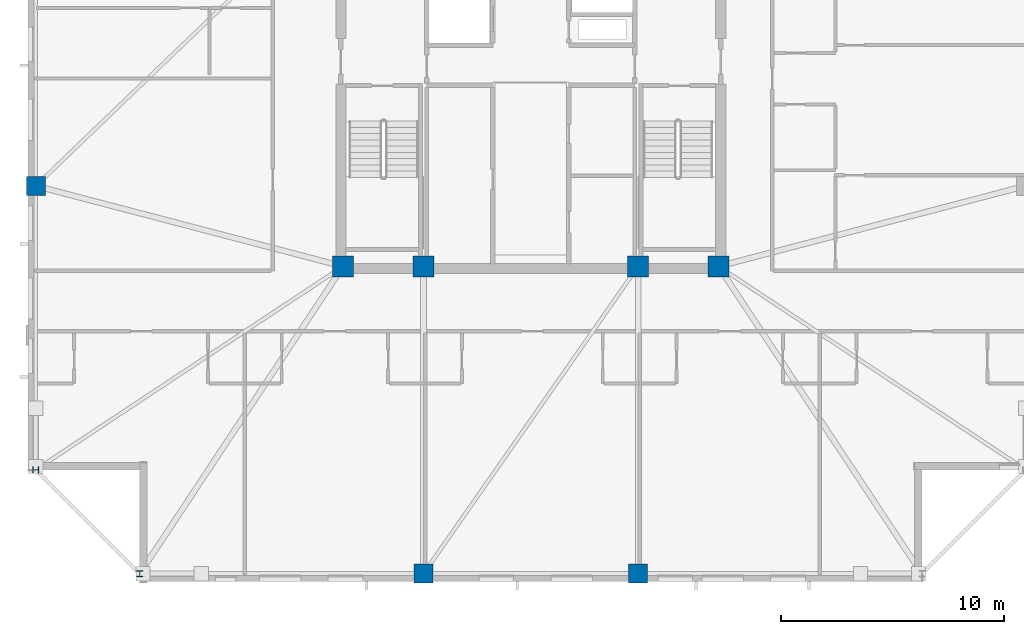
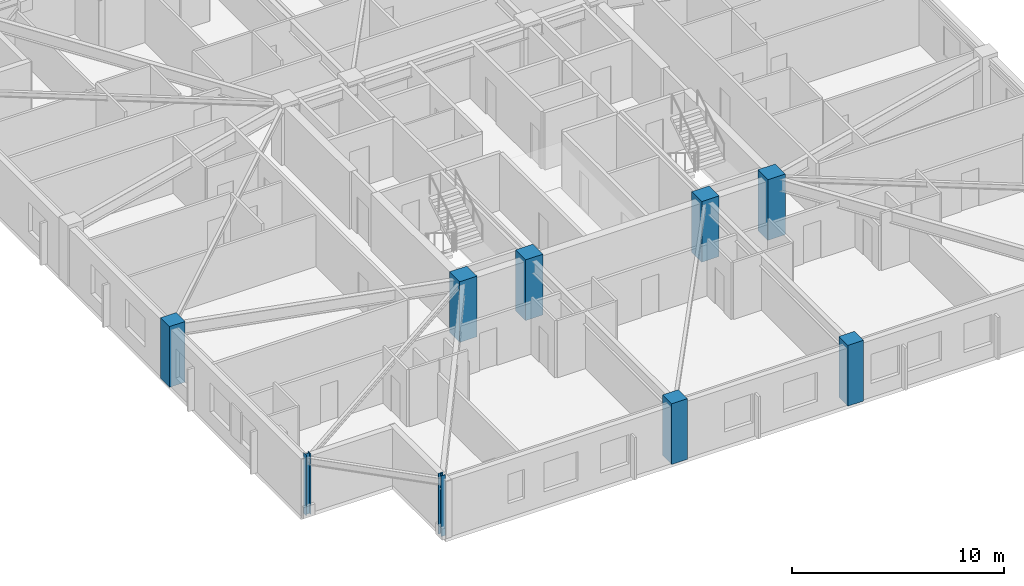
# One storey, part 1 of 17: 9 columns.
"""IFC4 building model written with IfcOpenShell, lengths in metres."""

from ifc_helpers import new_model, si_unit, direction, frame, origin, origin_2d, place, context, subcontext, project, spatial, rectangle, i_section, extrude, material, material_profile, profile_set, type_object, element, save


model = new_model("IFC4")

# Units and contexts
model_context = context("Model", 3, precision=1e-05, world=origin(), true_north=direction((0.0, 1.0)))
body_context = subcontext(model_context, "Body", "Model", "MODEL_VIEW")
ifc_project = project(units=[si_unit("LENGTHUNIT", "METRE"), si_unit("AREAUNIT", "SQUARE_METRE"), si_unit("VOLUMEUNIT", "CUBIC_METRE"), si_unit("PLANEANGLEUNIT", "RADIAN"), si_unit("MASSUNIT", "GRAM", prefix="KILO")], contexts=[model_context])

# Site, building, storey
site_placement = place(None, origin())
site = spatial("IfcSite", under=ifc_project, at=site_placement, CompositionType="ELEMENT")
building_placement = place(site_placement, origin())
building = spatial("IfcBuilding", under=site, at=building_placement, Name="Cairnveth Concourse Tower", CompositionType="ELEMENT")
storey_placement = place(building_placement, frame((0.0, 0.0, 220.0)))
storey = spatial("IfcBuildingStorey", under=building, at=storey_placement, Name="L60", CompositionType="ELEMENT", Elevation=220.0)

# Columns
ifc_material_1 = material(Name="Concrete N65 (65 MPa)", Category="concrete")
ifc_material_profile_1 = material_profile(ifc_material_1, rectangle(XDim=0.949951171875, YDim=0.949951171875, at=origin_2d()), Name="RC-COL-950x950")
ifc_profile_set_1 = profile_set([ifc_material_profile_1], Name="Concrete N65 (65 MPa)")
column_type_1 = type_object("IfcColumnType", Name="CORE COLUMN 950X950", PredefinedType="COLUMN", material=ifc_profile_set_1)
for number, where, z_axis, x_axis, name in (
    (1, (43.60009765625, 30.60009765625, 0.0), (0.0, 0.0, 1.0), (1.0, 0.0, 0.0), "Column CC1 L60"),
    (2, (47.199951171875, 30.60009765625, 0.0), (0.0, 0.0, 1.0), (1.0, 0.0, 0.0), "Column CC2 L60"),
    (3, (56.800048828125, 30.60009765625, 0.0), (0.0, 0.0, 1.0), (1.0, 0.0, 0.0), "Column CC3 L60"),
    (4, (60.39990234375, 30.60009765625, 0.0), (0.0, 0.0, 1.0), (1.0, 0.0, 0.0), "Column CC4 L60"),
):
    element("IfcColumn", number, at=place(storey_placement, frame(where, z_axis=z_axis, x_axis=x_axis)), inside=storey, type_object=column_type_1, Name=name, PredefinedType="COLUMN", context=body_context, shape_type="SweptSolid", body=[
        extrude(rectangle(XDim=0.949951171875, YDim=0.949951171875, at=origin_2d()), origin(), (0.0, 0.0, 1.0), 3.5),
    ])
ifc_material_profile_2 = material_profile(ifc_material_1, rectangle(XDim=0.85009765625, YDim=0.85009765625, at=origin_2d()), Name="RC-COL-850x850")
ifc_profile_set_2 = profile_set([ifc_material_profile_2], Name="Concrete N65 (65 MPa)")
column_type_2 = type_object("IfcColumnType", Name="PERIMETER PIER COLUMN 850X850", PredefinedType="COLUMN", material=ifc_profile_set_2)
for number, where, z_axis, x_axis, name in (
    (5, (47.199951171875, 16.85009765625, 0.0), (0.0, 0.0, 1.0), (1.0, 0.0, 0.0), "Column P-S2 L60"),
    (6, (56.800048828125, 16.85009765625, 0.0), (0.0, 0.0, 1.0), (1.0, 0.0, 0.0), "Column P-S3 L60"),
    (7, (29.85009765625, 34.199951171875, 0.0), (0.0, 0.0, 1.0), (0.0, 1.0, 0.0), "Column P-W3 L60"),
):
    element("IfcColumn", number, at=place(storey_placement, frame(where, z_axis=z_axis, x_axis=x_axis)), inside=storey, type_object=column_type_2, Name=name, PredefinedType="COLUMN", context=body_context, shape_type="SweptSolid", body=[
        extrude(rectangle(XDim=0.85009765625, YDim=0.85009765625, at=origin_2d()), origin(), (0.0, 0.0, 1.0), 3.5),
    ])
ifc_material_2 = material(Name="Steel Grade 350", Category="steel")
ifc_material_profile_3 = material_profile(ifc_material_2, i_section(OverallWidth=0.256103515625, OverallDepth=0.260009765625, WebThickness=0.010498046875, FlangeThickness=0.017333984375, FilletRadius=0.012939453125, at=origin_2d()), Name="250UC89.5")
ifc_profile_set_3 = profile_set([ifc_material_profile_3], Name="Steel Grade 350")
column_type_3 = type_object("IfcColumnType", Name="UNIVERSAL STEEL COLUMN 250UC89.5", PredefinedType="COLUMN", material=ifc_profile_set_3)
for number, where, z_axis, x_axis, name in (
    (8, (34.5, 16.85009765625, 0.0), (0.0, 0.0, 1.0), (1.0, 0.0, 0.0), "Column P-S1 L60"),
    (9, (29.85009765625, 21.5, 0.0), (0.0, 0.0, 1.0), (0.0, 1.0, 0.0), "Column P-W4 L60"),
):
    element("IfcColumn", number, at=place(storey_placement, frame(where, z_axis=z_axis, x_axis=x_axis)), inside=storey, type_object=column_type_3, Name=name, PredefinedType="COLUMN", context=body_context, shape_type="SweptSolid", body=[
        extrude(i_section(OverallWidth=0.256103515625, OverallDepth=0.260009765625, WebThickness=0.010498046875, FlangeThickness=0.017333984375, FilletRadius=0.012939453125, at=origin_2d()), origin(), (0.0, 0.0, 1.0), 3.5),
    ])

save(model, "model.ifc")
